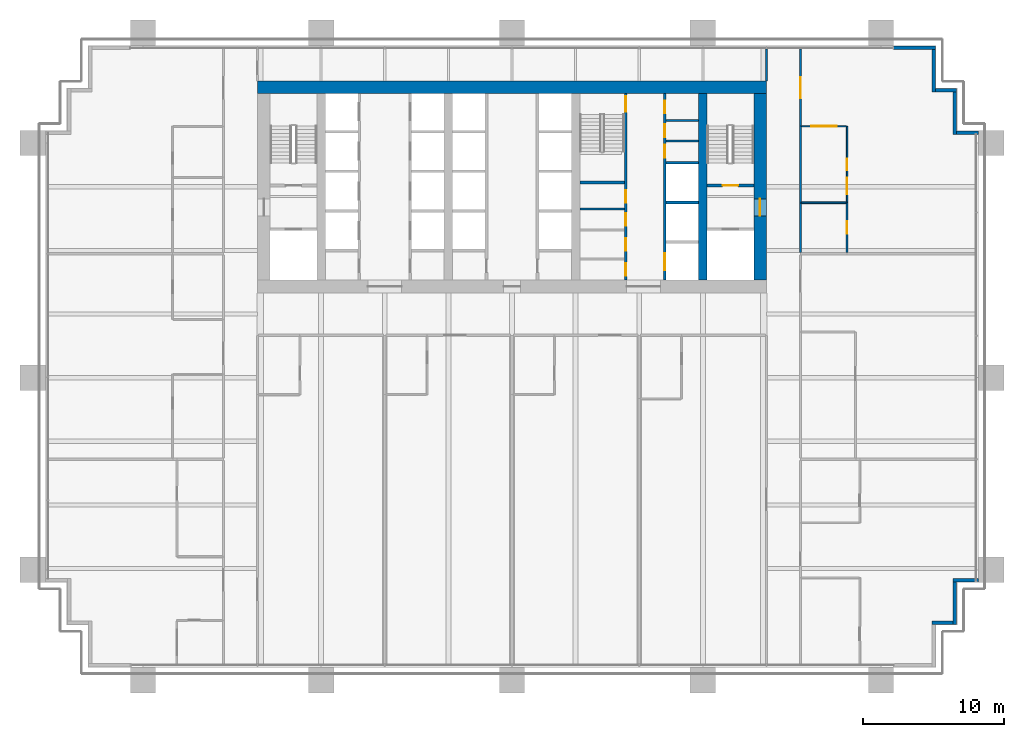
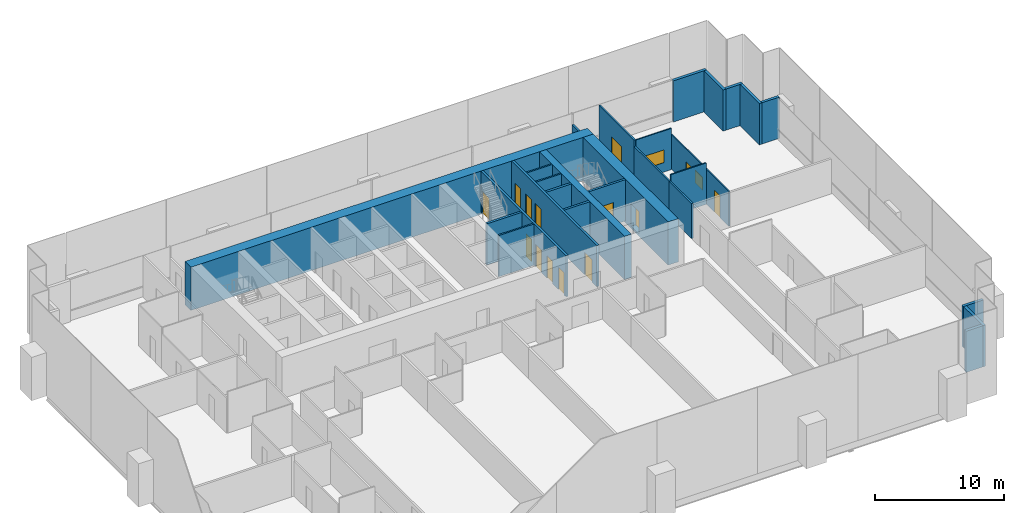
# One storey, part 14 of 18: 28 walls, 14 doors, 2 windows, 16 openings.
"""IFC4 building model written with IfcOpenShell, lengths in metres."""

from ifc_helpers import new_model, si_unit, direction, frame, frame_2d, origin, place, context, subcontext, project, spatial, rectangle, extrude, material, layer, layer_set, type_object, element, fill, save


model = new_model("IFC4")

# Units and contexts
model_context = context("Model", 3, precision=1e-05, world=origin(), true_north=direction((0.0, 1.0)))
body_context = subcontext(model_context, "Body", "Model", "MODEL_VIEW")
ifc_project = project(units=[si_unit("LENGTHUNIT", "METRE"), si_unit("AREAUNIT", "SQUARE_METRE"), si_unit("VOLUMEUNIT", "CUBIC_METRE"), si_unit("PLANEANGLEUNIT", "RADIAN"), si_unit("MASSUNIT", "GRAM", prefix="KILO")], contexts=[model_context])

# Site, building, storey
site_placement = place(None, origin())
site = spatial("IfcSite", under=ifc_project, at=site_placement, CompositionType="ELEMENT")
building_placement = place(site_placement, origin())
building = spatial("IfcBuilding", under=site, at=building_placement, Name="Rattan Terrace Tower", CompositionType="ELEMENT")
storey_placement = place(building_placement, frame((0.0, 0.0, 57.0)))
storey = spatial("IfcBuildingStorey", under=building, at=storey_placement, Name="L12", CompositionType="ELEMENT", Elevation=57.0)

# Walls
ifc_material_1 = material(Name="Gypsum board partition")
ifc_layer_1 = layer(ifc_material_1, 0.14990234375)
ifc_layer_set_1 = layer_set([ifc_layer_1], Name="Core partition 150")
wall_type_1 = type_object("IfcWallType", Name="Core partition 150", PredefinedType="PARTITIONING", material=ifc_layer_set_1)
wall_1_placement = place(storey_placement, frame((4.800048828125, -1.568115234375, 0.0), z_axis=(0.0, 0.0, 1.0), x_axis=(1.0, 0.0, 0.0)))
element("IfcWall", 1, at=wall_1_placement, inside=storey, type_object=wall_type_1, Name="Toilet wall", PredefinedType="PARTITIONING", context=body_context, shape_type="SweptSolid", body=[
    extrude(rectangle(XDim=3.14990234375, YDim=0.14990234375, at=frame_2d((1.574951171875, 0.0))), origin(), (0.0, 0.0, 1.0), 3.89990234375),
])
for number, where, z_axis, x_axis, name in (
    (2, (10.89990234375, 3.239990234375, 0.0), (0.0, 0.0, 1.0), (1.0, 0.0, 0.0), "Riser room wall"),
    (3, (10.89990234375, 4.679931640625, 0.0), (0.0, 0.0, 1.0), (1.0, 0.0, 0.0), "Riser room wall"),
):
    element("IfcWall", number, at=place(storey_placement, frame(where, z_axis=z_axis, x_axis=x_axis)), inside=storey, type_object=wall_type_1, Name=name, PredefinedType="PARTITIONING", context=body_context, shape_type="SweptSolid", body=[
        extrude(rectangle(XDim=2.300048828125, YDim=0.14990234375, at=frame_2d((1.14990234375, 0.0))), origin(), (0.0, 0.0, 1.0), 3.89990234375),
    ])

# Wall, opening, door
ifc_material_2 = material(Name="Gypsum board partition")
ifc_layer_2 = layer(ifc_material_2, 0.199951171875)
ifc_layer_set_2 = layer_set([ifc_layer_2], Name="Core partition 200")
wall_type_2 = type_object("IfcWallType", Name="Core partition 200", PredefinedType="PARTITIONING", material=ifc_layer_set_2)
wall_2_placement = place(storey_placement, frame((13.800048828125, 0.10009765625, 0.0), z_axis=(0.0, 0.0, 1.0), x_axis=(1.0, 0.0, 0.0)))
wall_2 = element("IfcWall", 4, at=wall_2_placement, inside=storey, type_object=wall_type_2, Name="Stair enclosure wall", PredefinedType="PARTITIONING", context=body_context, shape_type="SweptSolid", body=[
    extrude(rectangle(XDim=3.300048828125, YDim=0.199951171875, at=frame_2d((1.64990234375, 0.0))), origin(), (0.0, 0.0, 1.0), 3.89990234375),
])
opening_1_placement = place(wall_2_placement, frame((1.10009765625, 0.0, 0.0)))
opening_1 = element("IfcOpeningElement", 5, at=opening_1_placement, cuts=wall_2, Name="Opening L12-D004", PredefinedType="OPENING", context=body_context, shape_type="SweptSolid", body=[
    extrude(rectangle(XDim=1.10009765625, YDim=2.10009765625, at=frame_2d((0.550048828125, 1.050048828125))), frame((0.0, 0.110595703125, 0.0), z_axis=(0.0, -1.0, 0.0), x_axis=(1.0, 0.0, 0.0)), (0.0, 0.0, 1.0), 0.220947265625),
])
ifc_material_3 = material(Name="Hollow-metal fire door leaf")
door_type_1 = type_object("IfcDoorType", Name="Core stair door 1100", OperationType="NOTDEFINED", PredefinedType="DOOR", material=ifc_material_3)
door_1_placement = place(opening_1_placement, origin())
door_1 = element("IfcDoor", 6, at=door_1_placement, inside=storey, type_object=door_type_1, Name="Door L12-D004", OperationType="SINGLE_SWING_RIGHT", OverallHeight=2.10009765625, OverallWidth=1.10009765625, PredefinedType="DOOR", context=body_context, shape_type="SweptSolid", body=[
    extrude(rectangle(XDim=1.10009765625, YDim=2.10009765625, at=frame_2d((0.550048828125, 1.050048828125))), frame((0.0, 0.02490234375, 0.0), z_axis=(0.0, -1.0, 0.0), x_axis=(1.0, 0.0, 0.0)), (0.0, 0.0, 1.0), 0.050048828125),
])
fill(opening_1, door_1)

# Wall, openings, doors
wall_3_placement = place(storey_placement, frame((8.050048828125, -6.60009765625, 0.0), z_axis=(0.0, 0.0, 1.0), x_axis=(0.0, 1.0, 0.0)))
wall_3 = element("IfcWall", 7, at=wall_3_placement, inside=storey, type_object=wall_type_2, Name="Lobby wall west", PredefinedType="PARTITIONING", context=body_context, shape_type="SweptSolid", body=[
    extrude(rectangle(XDim=13.2001953125, YDim=0.199951171875, at=frame_2d((6.60009765625, 0.0))), origin(), (0.0, 0.0, 1.0), 3.89990234375),
])
opening_2_placement = place(wall_3_placement, frame((0.298095703125, 0.0, 0.0)))
opening_2 = element("IfcOpeningElement", 8, at=opening_2_placement, cuts=wall_3, Name="Opening L12-D011", PredefinedType="OPENING", context=body_context, shape_type="SweptSolid", body=[
    extrude(rectangle(XDim=0.89990234375, YDim=2.10009765625, at=frame_2d((0.449951171875, 1.050048828125))), frame((0.0, 0.110595703125, 0.0), z_axis=(0.0, -1.0, 0.0), x_axis=(1.0, 0.0, 0.0)), (0.0, 0.0, 1.0), 0.220947265625),
])
opening_3_placement = place(wall_3_placement, frame((2.06591796875, 0.0, 0.0)))
opening_3 = element("IfcOpeningElement", 9, at=opening_3_placement, cuts=wall_3, Name="Opening L12-D012", PredefinedType="OPENING", context=body_context, shape_type="SweptSolid", body=[
    extrude(rectangle(XDim=0.89990234375, YDim=2.10009765625, at=frame_2d((0.449951171875, 1.050048828125))), frame((0.0, 0.110595703125, 0.0), z_axis=(0.0, -1.0, 0.0), x_axis=(1.0, 0.0, 0.0)), (0.0, 0.0, 1.0), 0.220947265625),
])
opening_4_placement = place(wall_3_placement, frame((3.833984375, 0.0, 0.0)))
opening_4 = element("IfcOpeningElement", 10, at=opening_4_placement, cuts=wall_3, Name="Opening L12-D013", PredefinedType="OPENING", context=body_context, shape_type="SweptSolid", body=[
    extrude(rectangle(XDim=0.89990234375, YDim=2.10009765625, at=frame_2d((0.449951171875, 1.050048828125))), frame((0.0, 0.110595703125, 0.0), z_axis=(0.0, -1.0, 0.0), x_axis=(1.0, 0.0, 0.0)), (0.0, 0.0, 1.0), 0.220947265625),
])
opening_5_placement = place(wall_3_placement, frame((5.466064453125, 0.0, 0.0)))
opening_5 = element("IfcOpeningElement", 11, at=opening_5_placement, cuts=wall_3, Name="Opening L12-D014", PredefinedType="OPENING", context=body_context, shape_type="SweptSolid", body=[
    extrude(rectangle(XDim=0.89990234375, YDim=2.10009765625, at=frame_2d((0.449951171875, 1.050048828125))), frame((0.0, 0.110595703125, 0.0), z_axis=(0.0, -1.0, 0.0), x_axis=(1.0, 0.0, 0.0)), (0.0, 0.0, 1.0), 0.220947265625),
])
opening_6_placement = place(wall_3_placement, frame((11.89990234375, 0.0, 0.0)))
opening_6 = element("IfcOpeningElement", 12, at=opening_6_placement, cuts=wall_3, Name="Opening L12-D015", PredefinedType="OPENING", context=body_context, shape_type="SweptSolid", body=[
    extrude(rectangle(XDim=1.10009765625, YDim=2.10009765625, at=frame_2d((0.550048828125, 1.050048828125))), frame((0.0, 0.110595703125, 0.0), z_axis=(0.0, -1.0, 0.0), x_axis=(1.0, 0.0, 0.0)), (0.0, 0.0, 1.0), 0.220947265625),
])
ifc_material_4 = material(Name="Hollow-metal fire door leaf")
door_type_2 = type_object("IfcDoorType", Name="Core service room door 900", OperationType="NOTDEFINED", PredefinedType="DOOR", material=ifc_material_4)
door_2_placement = place(opening_5_placement, origin())
door_2 = element("IfcDoor", 13, at=door_2_placement, inside=storey, type_object=door_type_2, Name="Door L12-D014", OperationType="SINGLE_SWING_LEFT", OverallHeight=2.10009765625, OverallWidth=0.89990234375, PredefinedType="DOOR", context=body_context, shape_type="SweptSolid", body=[
    extrude(rectangle(XDim=0.89990234375, YDim=2.10009765625, at=frame_2d((0.449951171875, 1.050048828125))), frame((0.0, 0.02490234375, 0.0), z_axis=(0.0, -1.0, 0.0), x_axis=(1.0, 0.0, 0.0)), (0.0, 0.0, 1.0), 0.050048828125),
])
fill(opening_5, door_2)
door_3_placement = place(opening_6_placement, origin())
door_3 = element("IfcDoor", 14, at=door_3_placement, inside=storey, type_object=door_type_1, Name="Door L12-D015", OperationType="SINGLE_SWING_RIGHT", OverallHeight=2.10009765625, OverallWidth=1.10009765625, PredefinedType="DOOR", context=body_context, shape_type="SweptSolid", body=[
    extrude(rectangle(XDim=1.10009765625, YDim=2.10009765625, at=frame_2d((0.550048828125, 1.050048828125))), frame((0.0, 0.02490234375, 0.0), z_axis=(0.0, -1.0, 0.0), x_axis=(1.0, 0.0, 0.0)), (0.0, 0.0, 1.0), 0.050048828125),
])
fill(opening_6, door_3)
ifc_material_5 = material(Name="Hollow-metal fire door leaf")
door_type_3 = type_object("IfcDoorType", Name="Core toilet door 900", OperationType="NOTDEFINED", PredefinedType="DOOR", material=ifc_material_5)
door_4_placement = place(opening_2_placement, origin())
door_4 = element("IfcDoor", 15, at=door_4_placement, inside=storey, type_object=door_type_3, Name="Door L12-D011", OperationType="SINGLE_SWING_RIGHT", OverallHeight=2.10009765625, OverallWidth=0.89990234375, PredefinedType="DOOR", context=body_context, shape_type="SweptSolid", body=[
    extrude(rectangle(XDim=0.89990234375, YDim=2.10009765625, at=frame_2d((0.449951171875, 1.050048828125))), frame((0.0, 0.02490234375, 0.0), z_axis=(0.0, -1.0, 0.0), x_axis=(1.0, 0.0, 0.0)), (0.0, 0.0, 1.0), 0.050048828125),
])
fill(opening_2, door_4)
door_5_placement = place(opening_3_placement, origin())
door_5 = element("IfcDoor", 16, at=door_5_placement, inside=storey, type_object=door_type_3, Name="Door L12-D012", OperationType="SINGLE_SWING_LEFT", OverallHeight=2.10009765625, OverallWidth=0.89990234375, PredefinedType="DOOR", context=body_context, shape_type="SweptSolid", body=[
    extrude(rectangle(XDim=0.89990234375, YDim=2.10009765625, at=frame_2d((0.449951171875, 1.050048828125))), frame((0.0, 0.02490234375, 0.0), z_axis=(0.0, -1.0, 0.0), x_axis=(1.0, 0.0, 0.0)), (0.0, 0.0, 1.0), 0.050048828125),
])
fill(opening_3, door_5)
door_6_placement = place(opening_4_placement, origin())
door_6 = element("IfcDoor", 17, at=door_6_placement, inside=storey, type_object=door_type_3, Name="Door L12-D013", OperationType="SINGLE_SWING_RIGHT", OverallHeight=2.10009765625, OverallWidth=0.89990234375, PredefinedType="DOOR", context=body_context, shape_type="SweptSolid", body=[
    extrude(rectangle(XDim=0.89990234375, YDim=2.10009765625, at=frame_2d((0.449951171875, 1.050048828125))), frame((0.0, 0.02490234375, 0.0), z_axis=(0.0, -1.0, 0.0), x_axis=(1.0, 0.0, 0.0)), (0.0, 0.0, 1.0), 0.050048828125),
])
fill(opening_4, door_6)

# Walls
wall_4_placement = place(storey_placement, frame((4.800048828125, 0.300048828125, 0.0), z_axis=(0.0, 0.0, 1.0), x_axis=(1.0, 0.0, 0.0)))
element("IfcWall", 18, at=wall_4_placement, inside=storey, type_object=wall_type_2, Name="Stair enclosure wall", PredefinedType="PARTITIONING", context=body_context, shape_type="SweptSolid", body=[
    extrude(rectangle(XDim=3.14990234375, YDim=0.199951171875, at=frame_2d((1.574951171875, 0.0))), origin(), (0.0, 0.0, 1.0), 3.89990234375),
])
ifc_material_6 = material(Name="Concrete C70/85", Category="concrete")
ifc_layer_3 = layer(ifc_material_6, 0.89990234375)
ifc_layer_set_3 = layer_set([ifc_layer_3], Name="Core ring wall 900 C70/85")
wall_type_3 = type_object("IfcWallType", Name="Core ring wall 900 C70/85", PredefinedType="SHEAR", material=ifc_layer_set_3)
wall_5_placement = place(storey_placement, frame((-18.0, 7.050048828125, -0.199951171875), z_axis=(0.0, 0.0, 1.0), x_axis=(1.0, 0.0, 0.0)))
element("IfcWall", 19, at=wall_5_placement, inside=storey, type_object=wall_type_3, Name="Rear core wall north", PredefinedType="SHEAR", context=body_context, shape_type="SweptSolid", body=[
    extrude(rectangle(XDim=36.0, YDim=0.89990234375, at=frame_2d((18.0, 0.0))), origin(), (0.0, 0.0, 1.0), 4.099853515625),
])

# Wall, opening, door
wall_6_placement = place(storey_placement, frame((17.550048828125, -6.60009765625, -0.199951171875), z_axis=(0.0, 0.0, 1.0), x_axis=(0.0, 1.0, 0.0)))
wall_6 = element("IfcWall", 20, at=wall_6_placement, inside=storey, type_object=wall_type_3, Name="Rear core wall east", PredefinedType="SHEAR", context=body_context, shape_type="SweptSolid", body=[
    extrude(rectangle(XDim=13.2001953125, YDim=0.89990234375, at=frame_2d((6.60009765625, 0.0))), origin(), (0.0, 0.0, 1.0), 4.099853515625),
])
opening_7_placement = place(wall_6_placement, frame((4.550048828125, 0.0, 0.199951171875)))
opening_7 = element("IfcOpeningElement", 21, at=opening_7_placement, cuts=wall_6, Name="Opening L12-D003", PredefinedType="OPENING", context=body_context, shape_type="SweptSolid", body=[
    extrude(rectangle(XDim=1.199951171875, YDim=2.10009765625, at=frame_2d((0.60009765625, 1.050048828125))), frame((0.0, 0.46044921875, 0.0), z_axis=(0.0, -1.0, 0.0), x_axis=(1.0, 0.0, 0.0)), (0.0, 0.0, 1.0), 0.9208984375),
])
ifc_material_7 = material(Name="Hollow-metal fire door leaf")
door_type_4 = type_object("IfcDoorType", Name="Core fire-fighting lobby door 1200", OperationType="NOTDEFINED", PredefinedType="DOOR", material=ifc_material_7)
door_7_placement = place(opening_7_placement, origin())
door_7 = element("IfcDoor", 22, at=door_7_placement, inside=storey, type_object=door_type_4, Name="Door L12-D003", OperationType="SINGLE_SWING_LEFT", OverallHeight=2.10009765625, OverallWidth=1.199951171875, PredefinedType="DOOR", context=body_context, shape_type="SweptSolid", body=[
    extrude(rectangle(XDim=1.199951171875, YDim=2.10009765625, at=frame_2d((0.60009765625, 1.050048828125))), frame((0.0, 0.02490234375, 0.0), z_axis=(0.0, -1.0, 0.0), x_axis=(1.0, 0.0, 0.0)), (0.0, 0.0, 1.0), 0.050048828125),
])
fill(opening_7, door_7)

# Walls
ifc_material_8 = material(Name="Concrete C70/85", Category="concrete")
ifc_layer_4 = layer(ifc_material_8, 0.60009765625)
ifc_layer_set_4 = layer_set([ifc_layer_4], Name="Core spine wall 600 C70/85")
wall_type_4 = type_object("IfcWallType", Name="Core spine wall 600 C70/85", PredefinedType="SHEAR", material=ifc_layer_set_4)
wall_7_placement = place(storey_placement, frame((13.5, -6.60009765625, -0.199951171875), z_axis=(0.0, 0.0, 1.0), x_axis=(0.0, 1.0, 0.0)))
element("IfcWall", 23, at=wall_7_placement, inside=storey, type_object=wall_type_4, Name="Core spine wall 4", PredefinedType="SHEAR", context=body_context, shape_type="SweptSolid", body=[
    extrude(rectangle(XDim=13.2001953125, YDim=0.60009765625, at=frame_2d((6.60009765625, 0.0))), origin(), (0.0, 0.0, 1.0), 4.099853515625),
])
ifc_material_9 = material(Name="Insulated aluminium-clad stud wall", Category="aluminium")
ifc_layer_5 = layer(ifc_material_9, 0.25)
ifc_layer_set_5 = layer_set([ifc_layer_5], Name="Facade Riser Wall 250")
wall_type_5 = type_object("IfcWallType", Name="Facade Riser Wall 250", PredefinedType="SOLIDWALL", material=ifc_layer_set_5)
wall_8_placement = place(storey_placement, frame((29.705078125, -30.830078125, 0.0), z_axis=(0.0, 0.0, 1.0), x_axis=(1.0, 0.0, 0.0)))
element("IfcWall", 24, at=wall_8_placement, inside=storey, type_object=wall_type_5, Name="Riser wall L12-3", PredefinedType="SOLIDWALL", context=body_context, shape_type="SweptSolid", body=[
    extrude(rectangle(XDim=1.5, YDim=0.25, at=frame_2d((0.75, 0.0))), origin(), (0.0, 0.0, 1.0), 3.89990234375),
])
wall_9_placement = place(storey_placement, frame((31.330078125, -30.955078125, 0.0), z_axis=(0.0, 0.0, 1.0), x_axis=(0.0, 1.0, 0.0)))
element("IfcWall", 25, at=wall_9_placement, inside=storey, type_object=wall_type_5, Name="Riser wall L12-4", PredefinedType="SOLIDWALL", context=body_context, shape_type="SweptSolid", body=[
    extrude(rectangle(XDim=3.0, YDim=0.25, at=frame_2d((1.5, 0.0))), origin(), (0.0, 0.0, 1.0), 3.89990234375),
])
wall_10_placement = place(storey_placement, frame((31.205078125, -27.830078125, 0.0), z_axis=(0.0, 0.0, 1.0), x_axis=(1.0, 0.0, 0.0)))
element("IfcWall", 26, at=wall_10_placement, inside=storey, type_object=wall_type_5, Name="Riser wall L12-5", PredefinedType="SOLIDWALL", context=body_context, shape_type="SweptSolid", body=[
    extrude(rectangle(XDim=1.7998046875, YDim=0.25, at=frame_2d((0.89990234375, 0.0))), origin(), (0.0, 0.0, 1.0), 3.89990234375),
])
wall_11_placement = place(storey_placement, frame((33.0048828125, 3.830078125, 0.0), z_axis=(0.0, 0.0, 1.0), x_axis=(-1.0, 0.0, 0.0)))
element("IfcWall", 27, at=wall_11_placement, inside=storey, type_object=wall_type_5, Name="Riser wall L12-6", PredefinedType="SOLIDWALL", context=body_context, shape_type="SweptSolid", body=[
    extrude(rectangle(XDim=1.5498046875, YDim=0.25, at=frame_2d((0.77490234375, 0.0))), origin(), (0.0, 0.0, 1.0), 3.89990234375),
])
wall_12_placement = place(storey_placement, frame((31.330078125, 3.705078125, 0.0), z_axis=(0.0, 0.0, 1.0), x_axis=(0.0, 1.0, 0.0)))
element("IfcWall", 28, at=wall_12_placement, inside=storey, type_object=wall_type_5, Name="Riser wall L12-7", PredefinedType="SOLIDWALL", context=body_context, shape_type="SweptSolid", body=[
    extrude(rectangle(XDim=3.0, YDim=0.25, at=frame_2d((1.5, 0.0))), origin(), (0.0, 0.0, 1.0), 3.89990234375),
])
wall_13_placement = place(storey_placement, frame((31.455078125, 6.830078125, 0.0), z_axis=(0.0, 0.0, 1.0), x_axis=(-1.0, 0.0, 0.0)))
element("IfcWall", 29, at=wall_13_placement, inside=storey, type_object=wall_type_5, Name="Riser wall L12-8", PredefinedType="SOLIDWALL", context=body_context, shape_type="SweptSolid", body=[
    extrude(rectangle(XDim=1.5, YDim=0.25, at=frame_2d((0.75, 0.0))), origin(), (0.0, 0.0, 1.0), 3.89990234375),
])
wall_14_placement = place(storey_placement, frame((29.830078125, 6.705078125, 0.0), z_axis=(0.0, 0.0, 1.0), x_axis=(0.0, 1.0, 0.0)))
element("IfcWall", 30, at=wall_14_placement, inside=storey, type_object=wall_type_5, Name="Riser wall L12-9", PredefinedType="SOLIDWALL", context=body_context, shape_type="SweptSolid", body=[
    extrude(rectangle(XDim=3.0, YDim=0.25, at=frame_2d((1.5, 0.0))), origin(), (0.0, 0.0, 1.0), 3.89990234375),
])
wall_15_placement = place(storey_placement, frame((29.955078125, 9.830078125, 0.0), z_axis=(0.0, 0.0, 1.0), x_axis=(-1.0, 0.0, 0.0)))
element("IfcWall", 31, at=wall_15_placement, inside=storey, type_object=wall_type_5, Name="Riser wall L12-10", PredefinedType="SOLIDWALL", context=body_context, shape_type="SweptSolid", body=[
    extrude(rectangle(XDim=2.955078125, YDim=0.25, at=frame_2d((1.4775390625, 0.0))), origin(), (0.0, 0.0, 1.0), 3.89990234375),
])

# Wall, opening, window
ifc_material_10 = material(Name="Gypsum board partition on steel studs", Category="steel")
ifc_layer_6 = layer(ifc_material_10, 0.10009765625)
ifc_layer_set_6 = layer_set([ifc_layer_6], Name="Floors Partition 100")
wall_type_6 = type_object("IfcWallType", Name="Floors Partition 100", PredefinedType="PARTITIONING", material=ifc_layer_set_6)
wall_16_placement = place(storey_placement, frame((23.64990234375, 4.27294921875, 0.0), z_axis=(0.0, 0.0, 1.0), x_axis=(-1.0, 0.0, 0.0)))
wall_16 = element("IfcWall", 32, at=wall_16_placement, inside=storey, type_object=wall_type_6, Name="pt-L12-060", PredefinedType="PARTITIONING", context=body_context, shape_type="SweptSolid", body=[
    extrude(rectangle(XDim=3.1748046875, YDim=0.10009765625, at=frame_2d((1.58740234375, 0.0))), origin(), (0.0, 0.0, 1.0), 3.89990234375),
])
opening_8_placement = place(wall_16_placement, frame((0.68798828125, 0.0, 0.89990234375)))
opening_8 = element("IfcOpeningElement", 33, at=opening_8_placement, cuts=wall_16, Name="Opening L12-W101", PredefinedType="OPENING", context=body_context, shape_type="SweptSolid", body=[
    extrude(rectangle(XDim=1.800048828125, YDim=1.199951171875, at=frame_2d((0.89990234375, 0.60009765625))), frame((0.0, 0.060546875, 0.0), z_axis=(0.0, -1.0, 0.0), x_axis=(1.0, 0.0, 0.0)), (0.0, 0.0, 1.0), 0.12109375),
])
ifc_material_11 = material(Name="Glass, clear, fixed in aluminium frame", Category="aluminium")
window_type_1 = type_object("IfcWindowType", Name="Interior Vision Window 1800x1200", PartitioningType="SINGLE_PANEL", PredefinedType="WINDOW", material=ifc_material_11)
window_1_placement = place(opening_8_placement, origin())
window_1 = element("IfcWindow", 34, at=window_1_placement, inside=storey, type_object=window_type_1, Name="w-L12-101", OverallHeight=1.199951171875, OverallWidth=1.800048828125, PartitioningType="SINGLE_PANEL", PredefinedType="WINDOW", context=body_context, shape_type="SweptSolid", body=[
    extrude(rectangle(XDim=1.800048828125, YDim=1.199951171875, at=frame_2d((0.89990234375, 0.60009765625))), frame((0.0, 0.030029296875, 0.0), z_axis=(0.0, -1.0, 0.0), x_axis=(1.0, 0.0, 0.0)), (0.0, 0.0, 1.0), 0.06005859375),
])
fill(opening_8, window_1)

# Wall, openings, door, window
wall_17_placement = place(storey_placement, frame((23.699951171875, -1.10693359375, 0.0), z_axis=(0.0, 0.0, 1.0), x_axis=(0.0, 1.0, 0.0)))
wall_17 = element("IfcWall", 35, at=wall_17_placement, inside=storey, type_object=wall_type_6, Name="pt-L12-061", PredefinedType="PARTITIONING", context=body_context, shape_type="SweptSolid", body=[
    extrude(rectangle(XDim=5.3798828125, YDim=0.10009765625, at=frame_2d((2.68994140625, 0.0))), origin(), (0.0, 0.0, 1.0), 3.300048828125),
])
opening_9_placement = place(wall_17_placement, frame((2.2900390625, 0.0, 0.0)))
opening_9 = element("IfcOpeningElement", 36, at=opening_9_placement, cuts=wall_17, Name="Opening L12-D116", PredefinedType="OPENING", context=body_context, shape_type="SweptSolid", body=[
    extrude(rectangle(XDim=0.800048828125, YDim=2.10009765625, at=frame_2d((0.39990234375, 1.050048828125))), frame((0.0, 0.060546875, 0.0), z_axis=(0.0, -1.0, 0.0), x_axis=(1.0, 0.0, 0.0)), (0.0, 0.0, 1.0), 0.12109375),
])
opening_10_placement = place(wall_17_placement, frame((0.56494140625, 0.0, 0.89990234375)))
opening_10 = element("IfcOpeningElement", 37, at=opening_10_placement, cuts=wall_17, Name="Opening L12-W102", PredefinedType="OPENING", context=body_context, shape_type="SweptSolid", body=[
    extrude(rectangle(XDim=1.199951171875, YDim=1.199951171875, at=frame_2d((0.60009765625, 0.60009765625))), frame((0.0, 0.060546875, 0.0), z_axis=(0.0, -1.0, 0.0), x_axis=(1.0, 0.0, 0.0)), (0.0, 0.0, 1.0), 0.12109375),
])
ifc_material_12 = material(Name="Solid core timber door, painted", Category="wood")
door_type_5 = type_object("IfcDoorType", Name="Floors Store Door 800x2100", OperationType="NOTDEFINED", PredefinedType="DOOR", material=ifc_material_12)
door_8_placement = place(opening_9_placement, origin())
door_8 = element("IfcDoor", 38, at=door_8_placement, inside=storey, type_object=door_type_5, Name="d-L12-116", OperationType="SINGLE_SWING_LEFT", OverallHeight=2.10009765625, OverallWidth=0.800048828125, PredefinedType="DOOR", context=body_context, shape_type="SweptSolid", body=[
    extrude(rectangle(XDim=0.800048828125, YDim=2.10009765625, at=frame_2d((0.39990234375, 1.050048828125))), frame((0.0, 0.02490234375, 0.0), z_axis=(0.0, -1.0, 0.0), x_axis=(1.0, 0.0, 0.0)), (0.0, 0.0, 1.0), 0.050048828125),
])
fill(opening_9, door_8)
ifc_material_13 = material(Name="Glass, clear, fixed in aluminium frame", Category="aluminium")
window_type_2 = type_object("IfcWindowType", Name="Interior Vision Window 1200x1200", PartitioningType="SINGLE_PANEL", PredefinedType="WINDOW", material=ifc_material_13)
window_2_placement = place(opening_10_placement, origin())
window_2 = element("IfcWindow", 39, at=window_2_placement, inside=storey, type_object=window_type_2, Name="w-L12-102", OverallHeight=1.199951171875, OverallWidth=1.199951171875, PartitioningType="SINGLE_PANEL", PredefinedType="WINDOW", context=body_context, shape_type="SweptSolid", body=[
    extrude(rectangle(XDim=1.199951171875, YDim=1.199951171875, at=frame_2d((0.60009765625, 0.60009765625))), frame((0.0, 0.030029296875, 0.0), z_axis=(0.0, -1.0, 0.0), x_axis=(1.0, 0.0, 0.0)), (0.0, 0.0, 1.0), 0.06005859375),
])
fill(opening_10, window_2)

# Wall, opening, door
ifc_material_14 = material(Name="Gypsum board partition on steel studs, fire rated", Category="steel")
ifc_layer_7 = layer(ifc_material_14, 0.14990234375)
ifc_layer_set_7 = layer_set([ifc_layer_7], Name="Floors Tenancy Wall 150")
wall_type_7 = type_object("IfcWallType", Name="Floors Tenancy Wall 150", PredefinedType="PARTITIONING", material=ifc_layer_set_7)
wall_18_placement = place(storey_placement, frame((20.39990234375, 9.739990234375, 0.0), z_axis=(0.0, 0.0, 1.0), x_axis=(0.0, -1.0, 0.0)))
wall_18 = element("IfcWall", 40, at=wall_18_placement, inside=storey, type_object=wall_type_7, Name="pt-L12-015", PredefinedType="PARTITIONING", context=body_context, shape_type="SweptSolid", body=[
    extrude(rectangle(XDim=5.447021484375, YDim=0.14990234375, at=frame_2d((2.7236328125, 0.0))), origin(), (0.0, 0.0, 1.0), 3.89990234375),
])
opening_11_placement = place(wall_18_placement, frame((1.97412109375, 0.0, 0.0)))
opening_11 = element("IfcOpeningElement", 41, at=opening_11_placement, cuts=wall_18, Name="Opening L12-D114", PredefinedType="OPENING", context=body_context, shape_type="SweptSolid", body=[
    extrude(rectangle(XDim=1.5, YDim=2.10009765625, at=frame_2d((0.75, 1.050048828125))), frame((0.0, 0.08544921875, 0.0), z_axis=(0.0, -1.0, 0.0), x_axis=(1.0, 0.0, 0.0)), (0.0, 0.0, 1.0), 0.1708984375),
])
ifc_material_15 = material(Name="Steel fire door set", Category="steel")
door_type_6 = type_object("IfcDoorType", Name="Floors Unit Door Pair FD30S 1500x2100", OperationType="NOTDEFINED", PredefinedType="DOOR", material=ifc_material_15)
door_9_placement = place(opening_11_placement, origin())
door_9 = element("IfcDoor", 42, at=door_9_placement, inside=storey, type_object=door_type_6, Name="d-L12-114", OperationType="DOUBLE_DOOR_SINGLE_SWING", OverallHeight=2.10009765625, OverallWidth=1.5, PredefinedType="DOOR", context=body_context, shape_type="SweptSolid", body=[
    extrude(rectangle(XDim=1.5, YDim=2.10009765625, at=frame_2d((0.75, 1.050048828125))), frame((0.0, 0.02490234375, 0.0), z_axis=(0.0, -1.0, 0.0), x_axis=(1.0, 0.0, 0.0)), (0.0, 0.0, 1.0), 0.050048828125),
])
fill(opening_11, door_9)

# Walls
wall_19_placement = place(storey_placement, frame((20.39990234375, -1.14697265625, 0.0), z_axis=(0.0, 0.0, 1.0), x_axis=(0.0, -1.0, 0.0)))
element("IfcWall", 43, at=wall_19_placement, inside=storey, type_object=wall_type_7, Name="pt-L12-016", PredefinedType="PARTITIONING", context=body_context, shape_type="SweptSolid", body=[
    extrude(rectangle(XDim=3.489990234375, YDim=0.14990234375, at=frame_2d((1.7451171875, 0.0))), origin(), (0.0, 0.0, 1.0), 3.300048828125),
])
wall_20_placement = place(storey_placement, frame((20.39990234375, 4.29296875, 0.0), z_axis=(0.0, 0.0, 1.0), x_axis=(0.0, -1.0, 0.0)))
element("IfcWall", 44, at=wall_20_placement, inside=storey, type_object=wall_type_7, Name="pt-L12-017", PredefinedType="PARTITIONING", context=body_context, shape_type="SweptSolid", body=[
    extrude(rectangle(XDim=5.43994140625, YDim=0.14990234375, at=frame_2d((2.719970703125, 0.0))), origin(), (0.0, 0.0, 1.0), 3.300048828125),
])
wall_21_placement = place(storey_placement, frame((18.0, 7.47998046875, 0.0), z_axis=(0.0, 0.0, 1.0), x_axis=(0.0, 1.0, 0.0)))
element("IfcWall", 45, at=wall_21_placement, inside=storey, type_object=wall_type_7, Name="pt-L12-019", PredefinedType="PARTITIONING", context=body_context, shape_type="SweptSolid", body=[
    extrude(rectangle(XDim=2.260009765625, YDim=0.14990234375, at=frame_2d((1.1298828125, 0.0))), origin(), (0.0, 0.0, 1.0), 2.89990234375),
])

# Wall, opening, door
ifc_material_16 = material(Name="Moisture resistant gypsum board partition on steel studs with service cavity", Category="steel")
ifc_layer_8 = layer(ifc_material_16, 0.1201171875)
ifc_layer_set_8 = layer_set([ifc_layer_8], Name="Floors Wet Wall 120")
wall_type_8 = type_object("IfcWallType", Name="Floors Wet Wall 120", PredefinedType="PARTITIONING", material=ifc_layer_set_8)
wall_22_placement = place(storey_placement, frame((23.699951171875, -4.636962890625, 0.0), z_axis=(0.0, 0.0, 1.0), x_axis=(0.0, 1.0, 0.0)))
wall_22 = element("IfcWall", 46, at=wall_22_placement, inside=storey, type_object=wall_type_8, Name="pt-L12-059", PredefinedType="PARTITIONING", context=body_context, shape_type="SweptSolid", body=[
    extrude(rectangle(XDim=3.530029296875, YDim=0.1201171875, at=frame_2d((1.76513671875, 0.0))), origin(), (0.0, 0.0, 1.0), 3.300048828125),
])
opening_12_placement = place(wall_22_placement, frame((1.31494140625, 0.0, 0.0)))
opening_12 = element("IfcOpeningElement", 47, at=opening_12_placement, cuts=wall_22, Name="Opening L12-D115", PredefinedType="OPENING", context=body_context, shape_type="SweptSolid", body=[
    extrude(rectangle(XDim=0.89990234375, YDim=2.10009765625, at=frame_2d((0.449951171875, 1.050048828125))), frame((0.0, 0.070556640625, 0.0), z_axis=(0.0, -1.0, 0.0), x_axis=(1.0, 0.0, 0.0)), (0.0, 0.0, 1.0), 0.14111328125),
])
ifc_material_17 = material(Name="Solid core timber door, painted", Category="wood")
door_type_7 = type_object("IfcDoorType", Name="Floors Door 900x2100", OperationType="NOTDEFINED", PredefinedType="DOOR", material=ifc_material_17)
door_10_placement = place(opening_12_placement, origin())
door_10 = element("IfcDoor", 48, at=door_10_placement, inside=storey, type_object=door_type_7, Name="d-L12-115", OperationType="SINGLE_SWING_RIGHT", OverallHeight=2.10009765625, OverallWidth=0.89990234375, PredefinedType="DOOR", context=body_context, shape_type="SweptSolid", body=[
    extrude(rectangle(XDim=0.89990234375, YDim=2.10009765625, at=frame_2d((0.449951171875, 1.050048828125))), frame((0.0, 0.02490234375, 0.0), z_axis=(0.0, -1.0, 0.0), x_axis=(1.0, 0.0, 0.0)), (0.0, 0.0, 1.0), 0.050048828125),
])
fill(opening_12, door_10)

# Wall
wall_23_placement = place(storey_placement, frame((20.47509765625, -1.126953125, 0.0), z_axis=(0.0, 0.0, 1.0), x_axis=(1.0, 0.0, 0.0)))
element("IfcWall", 49, at=wall_23_placement, inside=storey, type_object=wall_type_8, Name="pt-L12-062", PredefinedType="PARTITIONING", context=body_context, shape_type="SweptSolid", body=[
    extrude(rectangle(XDim=3.164794921875, YDim=0.1201171875, at=frame_2d((1.58251953125, 0.0))), origin(), (0.0, 0.0, 1.0), 3.89990234375),
])

# Wall, openings, doors
ifc_material_18 = material(Name="Gypsum shaft wall system")
ifc_layer_9 = layer(ifc_material_18, 0.199951171875)
ifc_layer_set_9 = layer_set([ifc_layer_9], Name="Lift shaft wall 200")
wall_type_9 = type_object("IfcWallType", Name="Lift shaft wall 200", PredefinedType="PARTITIONING", material=ifc_layer_set_9)
wall_24_placement = place(storey_placement, frame((10.800048828125, -6.60009765625, 0.0), z_axis=(0.0, 0.0, 1.0), x_axis=(0.0, 1.0, 0.0)))
wall_24 = element("IfcWall", 50, at=wall_24_placement, inside=storey, type_object=wall_type_9, Name="Lift shaft front wall", PredefinedType="PARTITIONING", context=body_context, shape_type="SweptSolid", body=[
    extrude(rectangle(XDim=13.2001953125, YDim=0.199951171875, at=frame_2d((6.60009765625, 0.0))), origin(), (0.0, 0.0, 1.0), 3.89990234375),
])
opening_13_placement = place(wall_24_placement, frame((0.699951171875, 0.0, 0.0)))
opening_13 = element("IfcOpeningElement", 51, at=opening_13_placement, cuts=wall_24, Name="Opening L12-LD-SV1", PredefinedType="OPENING", context=body_context, shape_type="SweptSolid", body=[
    extrude(rectangle(XDim=1.199951171875, YDim=2.10009765625, at=frame_2d((0.60009765625, 1.050048828125))), frame((0.0, 0.110595703125, 0.0), z_axis=(0.0, -1.0, 0.0), x_axis=(1.0, 0.0, 0.0)), (0.0, 0.0, 1.0), 0.220947265625),
])
opening_14_placement = place(wall_24_placement, frame((8.669921875, 0.0, 0.0)))
opening_14 = element("IfcOpeningElement", 52, at=opening_14_placement, cuts=wall_24, Name="Opening L12-D017", PredefinedType="OPENING", context=body_context, shape_type="SweptSolid", body=[
    extrude(rectangle(XDim=0.89990234375, YDim=2.10009765625, at=frame_2d((0.449951171875, 1.050048828125))), frame((0.0, 0.110595703125, 0.0), z_axis=(0.0, -1.0, 0.0), x_axis=(1.0, 0.0, 0.0)), (0.0, 0.0, 1.0), 0.220947265625),
])
opening_15_placement = place(wall_24_placement, frame((10.110107421875, 0.0, 0.0)))
opening_15 = element("IfcOpeningElement", 53, at=opening_15_placement, cuts=wall_24, Name="Opening L12-D018", PredefinedType="OPENING", context=body_context, shape_type="SweptSolid", body=[
    extrude(rectangle(XDim=0.89990234375, YDim=2.10009765625, at=frame_2d((0.449951171875, 1.050048828125))), frame((0.0, 0.110595703125, 0.0), z_axis=(0.0, -1.0, 0.0), x_axis=(1.0, 0.0, 0.0)), (0.0, 0.0, 1.0), 0.220947265625),
])
opening_16_placement = place(wall_24_placement, frame((11.7900390625, 0.0, 0.0)))
opening_16 = element("IfcOpeningElement", 54, at=opening_16_placement, cuts=wall_24, Name="Opening L12-D019", PredefinedType="OPENING", context=body_context, shape_type="SweptSolid", body=[
    extrude(rectangle(XDim=0.89990234375, YDim=2.10009765625, at=frame_2d((0.449951171875, 1.050048828125))), frame((0.0, 0.110595703125, 0.0), z_axis=(0.0, -1.0, 0.0), x_axis=(1.0, 0.0, 0.0)), (0.0, 0.0, 1.0), 0.220947265625),
])
ifc_material_19 = material(Name="Brushed stainless landing door panel")
door_type_8 = type_object("IfcDoorType", Name="Core lift landing door 1200", OperationType="DOUBLE_DOOR_SLIDING", PredefinedType="DOOR", material=ifc_material_19)
door_11_placement = place(opening_13_placement, origin())
door_11 = element("IfcDoor", 55, at=door_11_placement, inside=storey, type_object=door_type_8, Name="Door L12-LD-SV1", OperationType="DOUBLE_DOOR_SLIDING", OverallHeight=2.10009765625, OverallWidth=1.199951171875, PredefinedType="DOOR", context=body_context, shape_type="SweptSolid", body=[
    extrude(rectangle(XDim=1.199951171875, YDim=2.10009765625, at=frame_2d((0.60009765625, 1.050048828125))), frame((0.0, 0.02490234375, 0.0), z_axis=(0.0, -1.0, 0.0), x_axis=(1.0, 0.0, 0.0)), (0.0, 0.0, 1.0), 0.050048828125),
])
fill(opening_13, door_11)
ifc_material_20 = material(Name="Hollow-metal fire door leaf")
door_type_9 = type_object("IfcDoorType", Name="Core riser door 900", OperationType="NOTDEFINED", PredefinedType="DOOR", material=ifc_material_20)
door_12_placement = place(opening_14_placement, origin())
door_12 = element("IfcDoor", 56, at=door_12_placement, inside=storey, type_object=door_type_9, Name="Door L12-D017", OperationType="SINGLE_SWING_LEFT", OverallHeight=2.10009765625, OverallWidth=0.89990234375, PredefinedType="DOOR", context=body_context, shape_type="SweptSolid", body=[
    extrude(rectangle(XDim=0.89990234375, YDim=2.10009765625, at=frame_2d((0.449951171875, 1.050048828125))), frame((0.0, 0.02490234375, 0.0), z_axis=(0.0, -1.0, 0.0), x_axis=(1.0, 0.0, 0.0)), (0.0, 0.0, 1.0), 0.050048828125),
])
fill(opening_14, door_12)
door_13_placement = place(opening_15_placement, origin())
door_13 = element("IfcDoor", 57, at=door_13_placement, inside=storey, type_object=door_type_9, Name="Door L12-D018", OperationType="SINGLE_SWING_RIGHT", OverallHeight=2.10009765625, OverallWidth=0.89990234375, PredefinedType="DOOR", context=body_context, shape_type="SweptSolid", body=[
    extrude(rectangle(XDim=0.89990234375, YDim=2.10009765625, at=frame_2d((0.449951171875, 1.050048828125))), frame((0.0, 0.02490234375, 0.0), z_axis=(0.0, -1.0, 0.0), x_axis=(1.0, 0.0, 0.0)), (0.0, 0.0, 1.0), 0.050048828125),
])
fill(opening_15, door_13)
door_14_placement = place(opening_16_placement, origin())
door_14 = element("IfcDoor", 58, at=door_14_placement, inside=storey, type_object=door_type_2, Name="Door L12-D019", OperationType="SINGLE_SWING_LEFT", OverallHeight=2.10009765625, OverallWidth=0.89990234375, PredefinedType="DOOR", context=body_context, shape_type="SweptSolid", body=[
    extrude(rectangle(XDim=0.89990234375, YDim=2.10009765625, at=frame_2d((0.449951171875, 1.050048828125))), frame((0.0, 0.02490234375, 0.0), z_axis=(0.0, -1.0, 0.0), x_axis=(1.0, 0.0, 0.0)), (0.0, 0.0, 1.0), 0.050048828125),
])
fill(opening_16, door_14)

# Walls
for number, where, z_axis, x_axis, name in (
    (59, (10.89990234375, -1.10009765625, 0.0), (0.0, 0.0, 1.0), (1.0, 0.0, 0.0), "Lift shaft wall"),
    (60, (10.89990234375, 1.699951171875, 0.0), (0.0, 0.0, 1.0), (1.0, 0.0, 0.0), "Lift shaft wall"),
):
    element("IfcWall", number, at=place(storey_placement, frame(where, z_axis=z_axis, x_axis=x_axis)), inside=storey, type_object=wall_type_9, Name=name, PredefinedType="PARTITIONING", context=body_context, shape_type="SweptSolid", body=[
        extrude(rectangle(XDim=2.300048828125, YDim=0.199951171875, at=frame_2d((1.14990234375, 0.0))), origin(), (0.0, 0.0, 1.0), 3.89990234375),
    ])

save(model, "model.ifc")
